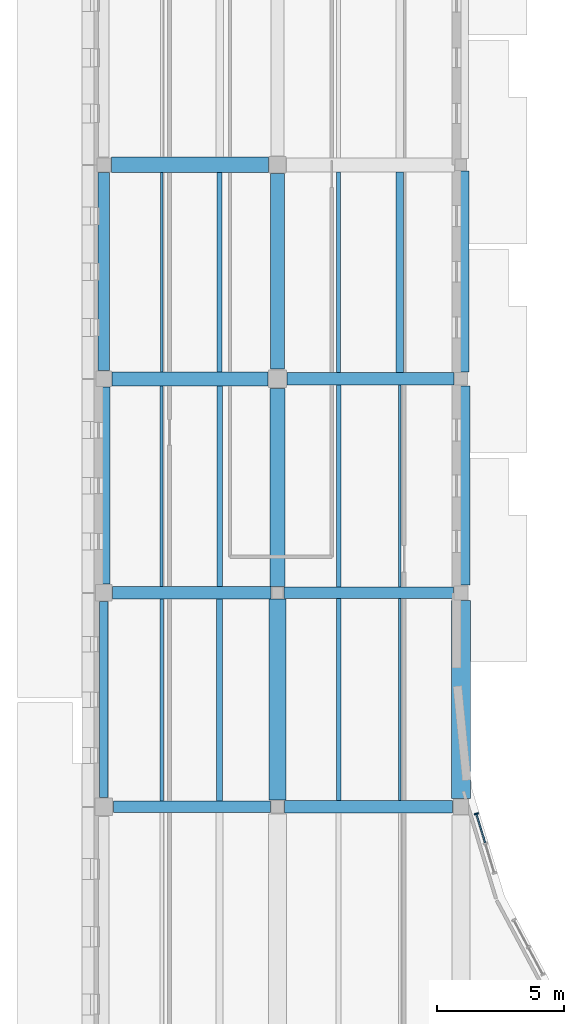
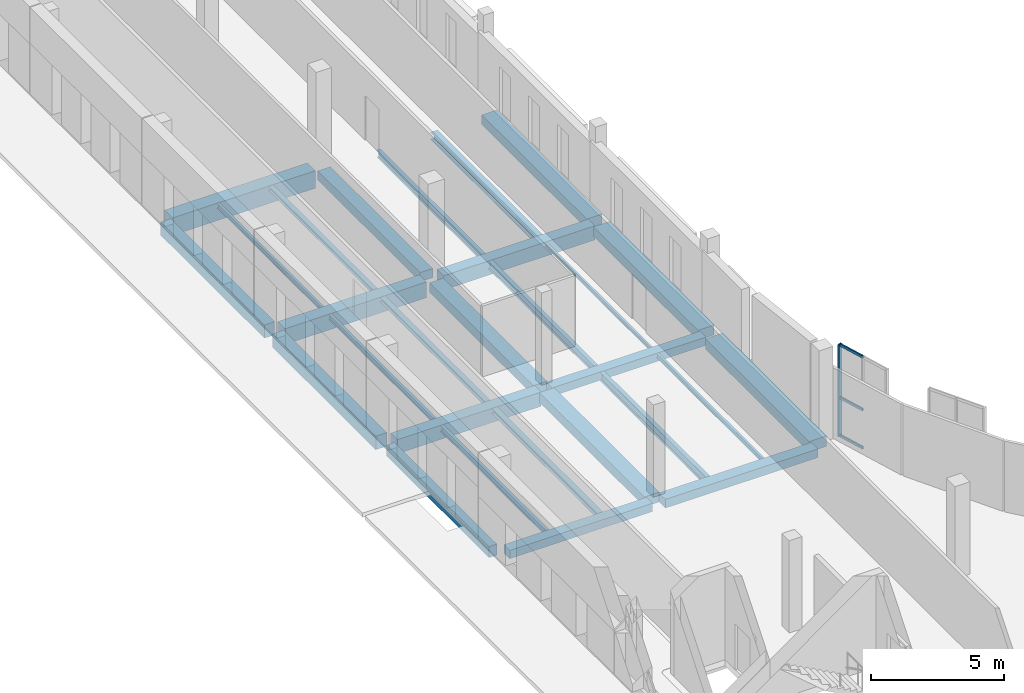
# One storey, part 12 of 77: 28 beams, 4 members, 1 element without a shape of its own.
"""IFC4 building model written with IfcOpenShell, lengths in metres."""

import ifcopenshell
import ifcopenshell.guid

model = None  # the IFC model being written
_history = None  # IfcOwnerHistory: only IFC2X3 demands one
_inside = {}  # id of a spatial element -> (the spatial element, [elements in it])
_under = {}  # id of a project, library or spatial element -> (it, [spatial elements below it])
_declared = {}  # id of a project -> (the project, [libraries it declares])
_typed = {}  # id of a type object -> (the type object, [elements of that type])
_made_of = {}  # id of a material, layer set ... -> (it, [elements and type objects made of it])


def new_model(schema):
    """Start an empty IFC model of exactly this schema.

    Asked for "IFC4X3", IfcOpenShell would pick the latest addendum, in which some entities
    have other attributes; the version numbers below select the first issue.
    IFC2X3 requires an IfcOwnerHistory on every rooted entity: one is made here for all.
    """
    global model, _history
    if schema == "IFC4X3":
        model = ifcopenshell.file(schema_version=(4, 3, 0, 0))
    else:
        model = ifcopenshell.file(schema=schema)
    _inside.clear()
    _under.clear()
    _declared.clear()
    _typed.clear()
    _made_of.clear()
    _history = None
    if model.schema == "IFC2X3":
        org = make("IfcOrganization", Name="unknown")
        user = make(
            "IfcPersonAndOrganization",
            ThePerson=make("IfcPerson", FamilyName="unknown"),
            TheOrganization=org,
        )
        app = make(
            "IfcApplication",
            ApplicationDeveloper=org,
            Version="unknown",
            ApplicationFullName="unknown",
            ApplicationIdentifier="unknown",
        )
        _history = make(
            "IfcOwnerHistory",
            OwningUser=user,
            OwningApplication=app,
            ChangeAction="ADDED",
            CreationDate=0,
        )
    return model


def make(cls, **values):
    """One entity of the class cls with the attributes given. An attribute that is None is left unset."""
    return model.create_entity(
        cls, **{name: value for name, value in values.items() if value is not None}
    )


def rooted(cls, **values):
    """An entity with a GlobalId (a new one), such as an element, a storey or a relation."""
    return make(cls, GlobalId=ifcopenshell.guid.new(), OwnerHistory=_history, **values)


def si_unit(unit_type, name, prefix=None):
    """IfcSIUnit, for example si_unit("LENGTHUNIT", "METRE", prefix="MILLI")."""
    return make("IfcSIUnit", UnitType=unit_type, Prefix=prefix, Name=name)


def assignment(units):
    """IfcUnitAssignment: the units of a project."""
    return None if units is None else make("IfcUnitAssignment", Units=units)


def point(xyz):
    """IfcCartesianPoint."""
    return None if xyz is None else make("IfcCartesianPoint", Coordinates=xyz)


def direction(xyz):
    """IfcDirection."""
    return None if xyz is None else make("IfcDirection", DirectionRatios=xyz)


def frame(location, z_axis=None, x_axis=None):
    """IfcAxis2Placement3D, a coordinate frame: its origin and axes. An axis left out is left unset."""
    return make(
        "IfcAxis2Placement3D",
        Location=point(location),
        Axis=direction(z_axis),
        RefDirection=direction(x_axis),
    )


def frame_2d(location, x_axis=None):
    """IfcAxis2Placement2D, a coordinate frame in the plane: its origin and x axis."""
    return make(
        "IfcAxis2Placement2D", Location=point(location), RefDirection=direction(x_axis)
    )


def origin():
    """The frame at (0, 0, 0) with its axes left unset."""
    return frame((0.0, 0.0, 0.0))


def origin_2d():
    """The frame at (0, 0) in the plane with its x axis left unset."""
    return frame_2d((0.0, 0.0))


def place(relative_to, where):
    """IfcLocalPlacement: puts the frame where relative to a parent placement (None: the world)."""
    return make(
        "IfcLocalPlacement", PlacementRelTo=relative_to, RelativePlacement=where
    )


def context(
    kind, dimensions, precision=None, world=None, true_north=None, identifier=None
):
    """IfcGeometricRepresentationContext, for example the 3D "Model" context."""
    return make(
        "IfcGeometricRepresentationContext",
        ContextIdentifier=identifier,
        ContextType=kind,
        CoordinateSpaceDimension=dimensions,
        Precision=precision,
        WorldCoordinateSystem=world,
        TrueNorth=true_north,
    )


def subcontext(parent, identifier, kind, view, scale=None):
    """IfcGeometricRepresentationSubContext, for example "Body" below "Model"."""
    return make(
        "IfcGeometricRepresentationSubContext",
        ContextIdentifier=identifier,
        ContextType=kind,
        ParentContext=parent,
        TargetScale=scale,
        TargetView=view,
    )


def project(units=None, contexts=None):
    """IfcProject with its units and contexts."""
    return rooted(
        "IfcProject",
        Name="project",
        RepresentationContexts=contexts,
        UnitsInContext=assignment(units),
    )


def spatial(cls, under=None, at=None, **own):
    """A site, building, storey or space (cls), placed at a placement, below another one or the project."""
    s = rooted(cls, ObjectPlacement=at, **own)
    if under is not None:
        _under.setdefault(under.id(), (under, []))[1].append(s)
    return s


def profile(cls, at=None, kind="AREA", **sizes):
    """A parametric profile (cls). Its sizes go by their IFC names, for example OverallWidth=200.0."""
    return make(cls, ProfileType=kind, Position=at, **sizes)


def rectangle(**sizes):
    """IfcRectangleProfileDef."""
    return profile("IfcRectangleProfileDef", **sizes)


def i_section(**sizes):
    """IfcIShapeProfileDef."""
    return profile("IfcIShapeProfileDef", **sizes)


def extrude(swept, where, along, depth):
    """IfcExtrudedAreaSolid: the profile swept, set in the frame where, extruded along a direction by depth."""
    return make(
        "IfcExtrudedAreaSolid",
        SweptArea=swept,
        Position=where,
        ExtrudedDirection=direction(along),
        Depth=depth,
    )


def shape(context_of_items, identifier, shape_type, items):
    """IfcShapeRepresentation: the items that make up one representation, for example the "Body"."""
    return make(
        "IfcShapeRepresentation",
        ContextOfItems=context_of_items,
        RepresentationIdentifier=identifier,
        RepresentationType=shape_type,
        Items=items,
    )


def material(Name=None, Category=None):
    """IfcMaterial."""
    return make("IfcMaterial", Name=Name, Category=Category)


def layer(
    of_material, thickness, ventilated=None, Name=None, Category=None, Priority=None
):
    """IfcMaterialLayer: one layer of a wall or slab, of a material (None: an air gap)."""
    return make(
        "IfcMaterialLayer",
        Material=of_material,
        LayerThickness=thickness,
        IsVentilated=ventilated,
        Name=Name,
        Category=Category,
        Priority=Priority,
    )


def layer_set(layers, Name=None):
    """IfcMaterialLayerSet."""
    return make("IfcMaterialLayerSet", MaterialLayers=layers, LayerSetName=Name)


def material_profile(
    of_material, cross_section, Name=None, Category=None, Priority=None
):
    """IfcMaterialProfile: a cross section and its material."""
    return make(
        "IfcMaterialProfile",
        Name=Name,
        Material=of_material,
        Profile=cross_section,
        Priority=Priority,
        Category=Category,
    )


def profile_set(profiles, Name=None, composite=None):
    """IfcMaterialProfileSet."""
    return make(
        "IfcMaterialProfileSet",
        Name=Name,
        MaterialProfiles=profiles,
        CompositeProfile=composite,
    )


def made_of(thing, what):
    """Note that an element or type object is made of a material, layer set ...; save() writes the relation."""
    if what is not None:
        _made_of.setdefault(what.id(), (what, []))[1].append(thing)
    return thing


def type_object(cls, material=None, **own):
    """A type object (cls), such as IfcWallType, which elements share."""
    return made_of(rooted(cls, **own), material)


def element(
    cls,
    number,
    at=None,
    inside=None,
    cuts=None,
    type_object=None,
    material=None,
    context=None,
    identifier="Body",
    shape_type=None,
    held_by="IfcProductDefinitionShape",
    body=None,
    shapes=None,
    **own,
):
    """One element of the class cls, such as IfcWall. Its Tag is "e" and its number.

    at: its placement. inside: the storey or other place that contains it. cuts: it is an
    opening in that element (IfcRelVoidsElement). A single representation is given by context,
    identifier, shape_type and body (its items); several are given by shapes. held_by: the class
    of the entity that holds the representations. save() writes the other relations.
    """
    e = rooted(cls, Tag="e%d" % number, ObjectPlacement=at, **own)
    if body is not None:
        shapes = [shape(context, identifier, shape_type, body)]
    if shapes is not None:
        e.Representation = make(held_by, Representations=shapes)
    if inside is not None:
        _inside.setdefault(inside.id(), (inside, []))[1].append(e)
    if cuts is not None:
        rooted(
            "IfcRelVoidsElement", RelatingBuildingElement=cuts, RelatedOpeningElement=e
        )
    if type_object is not None:
        _typed.setdefault(type_object.id(), (type_object, []))[1].append(e)
    return made_of(e, material)


def aggregate(whole, parts):
    """IfcRelAggregates: a whole, such as a stair, and the parts it consists of."""
    return rooted("IfcRelAggregates", RelatingObject=whole, RelatedObjects=parts)


def save(model, path):
    """Write the relations noted so far, then the file.

    IfcRelAggregates (storeys below a building ...), IfcRelContainedInSpatialStructure (elements
    in a storey), IfcRelDefinesByType, IfcRelAssociatesMaterial and IfcRelDeclares: one each for
    every whole, place, type object, material and project.
    """
    for whole, parts in _under.values():
        aggregate(whole, parts)
    for where, things in _inside.values():
        rooted(
            "IfcRelContainedInSpatialStructure",
            RelatedElements=things,
            RelatingStructure=where,
        )
    for kind, things in _typed.values():
        rooted("IfcRelDefinesByType", RelatedObjects=things, RelatingType=kind)
    for what, things in _made_of.values():
        rooted("IfcRelAssociatesMaterial", RelatedObjects=things, RelatingMaterial=what)
    for by, libraries in _declared.values():
        rooted("IfcRelDeclares", RelatingContext=by, RelatedDefinitions=libraries)
    model.write(path)


model = new_model("IFC4")

# Units and contexts
model_context = context("Model", 3, precision=1e-05, world=origin(), true_north=direction((0.0, 1.0)))
body_context = subcontext(model_context, "Body", "Model", "MODEL_VIEW")
ifc_project = project(units=[si_unit("LENGTHUNIT", "METRE"), si_unit("AREAUNIT", "SQUARE_METRE"), si_unit("VOLUMEUNIT", "CUBIC_METRE"), si_unit("PLANEANGLEUNIT", "RADIAN"), si_unit("MASSUNIT", "GRAM", prefix="KILO")], contexts=[model_context])

# Site, building, storey
site_placement = place(None, origin())
site = spatial("IfcSite", under=ifc_project, at=site_placement, CompositionType="ELEMENT")
building_placement = place(site_placement, origin())
building = spatial("IfcBuilding", under=site, at=building_placement, Name="Vardoun Plaza Health Centre", CompositionType="ELEMENT")
storey_placement = place(building_placement, origin())
storey = spatial("IfcBuildingStorey", under=building, at=storey_placement, Name="L00", CompositionType="ELEMENT", Elevation=0.0)

# Beams
ifc_material_1 = material(Name="Concrete C35/45", Category="concrete")
ifc_material_profile_1 = material_profile(ifc_material_1, rectangle(XDim=0.35009765625, YDim=0.5, at=origin_2d()), Name="RC-BM 350x500")
ifc_profile_set_1 = profile_set([ifc_material_profile_1], Name="Concrete C35/45")
beam_type_1 = type_object("IfcBeamType", Name="B-08", PredefinedType="SPANDREL", material=ifc_profile_set_1)
beam_1_placement = place(storey_placement, frame((4.8798828125, 36.675048828125, -0.530029296875), z_axis=(0.0, 1.0, 0.0), x_axis=(-1.0, 0.0, 0.0)))
element("IfcBeam", 1, at=beam_1_placement, inside=storey, type_object=beam_type_1, Name="V2 L00 Beam B-V2-L00-Y38", PredefinedType="SPANDREL", context=body_context, shape_type="SweptSolid", body=[
    extrude(rectangle(XDim=0.35009765625, YDim=0.5, at=origin_2d()), origin(), (0.0, 0.0, 1.0), 7.675048828125),
])
ifc_material_2 = material(Name="Concrete C35/45", Category="concrete")
ifc_material_profile_2 = material_profile(ifc_material_2, rectangle(XDim=0.449951171875, YDim=0.3798828125, at=origin_2d()), Name="RC-BM 450x380")
ifc_profile_set_2 = profile_set([ifc_material_profile_2], Name="Concrete C35/45")
beam_type_2 = type_object("IfcBeamType", Name="B-01", PredefinedType="BEAM", material=ifc_profile_set_2)
beam_2_placement = place(storey_placement, frame((5.2548828125, 36.300048828125, -0.469970703125), z_axis=(1.0, 0.0, 0.0), x_axis=(0.0, 1.0, 0.0)))
element("IfcBeam", 2, at=beam_2_placement, inside=storey, type_object=beam_type_2, Name="V2 L00 Beam B-V2-L00-X05", PredefinedType="BEAM", context=body_context, shape_type="SweptSolid", body=[
    extrude(rectangle(XDim=0.449951171875, YDim=0.3798828125, at=origin_2d()), origin(), (0.0, 0.0, 1.0), 6.170166015625),
])
beam_3_placement = place(storey_placement, frame((11.949951171875, 44.699951171875, -0.469970703125), z_axis=(1.0, 0.0, 0.0), x_axis=(0.0, 1.0, 0.0)))
element("IfcBeam", 3, at=beam_3_placement, inside=storey, type_object=beam_type_2, Name="V2 L00 Beam B-V2-L00-X16", PredefinedType="BEAM", context=body_context, shape_type="SweptSolid", body=[
    extrude(rectangle(XDim=0.449951171875, YDim=0.3798828125, at=origin_2d()), origin(), (0.0, 0.0, 1.0), 6.650146484375),
])
ifc_material_3 = material(Name="Concrete C35/45", Category="concrete")
ifc_material_profile_3 = material_profile(ifc_material_3, rectangle(XDim=0.449951171875, YDim=0.60009765625, at=origin_2d()), Name="RC-BM 450x600")
ifc_profile_set_3 = profile_set([ifc_material_profile_3], Name="Concrete C35/45")
beam_type_3 = type_object("IfcBeamType", Name="B-11", PredefinedType="SPANDREL", material=ifc_profile_set_3)
beam_4_placement = place(storey_placement, frame((4.8798828125, 53.425048828125, -0.580078125), z_axis=(0.0, 1.0, 0.0), x_axis=(-1.0, 0.0, 0.0)))
element("IfcBeam", 4, at=beam_4_placement, inside=storey, type_object=beam_type_3, Name="V2 L00 Beam B-V2-L00-Y40", PredefinedType="SPANDREL", context=body_context, shape_type="SweptSolid", body=[
    extrude(rectangle(XDim=0.449951171875, YDim=0.60009765625, at=origin_2d()), origin(), (0.0, 0.0, 1.0), 7.77490234375),
])
ifc_material_4 = material(Name="Concrete C35/45", Category="concrete")
ifc_material_profile_4 = material_profile(ifc_material_4, rectangle(XDim=0.47998046875, YDim=0.6201171875, at=origin_2d()), Name="RC-BM 480x620")
ifc_profile_set_4 = profile_set([ifc_material_profile_4], Name="Concrete C35/45")
beam_type_4 = type_object("IfcBeamType", Name="B-12", PredefinedType="SPANDREL", material=ifc_profile_set_4)
beam_5_placement = place(storey_placement, frame((4.8798828125, 45.050048828125, -0.590087890625), z_axis=(0.0, 1.0, 0.0), x_axis=(-1.0, 0.0, 0.0)))
element("IfcBeam", 5, at=beam_5_placement, inside=storey, type_object=beam_type_4, Name="V2 L00 Beam B-V2-L00-Y39", PredefinedType="SPANDREL", context=body_context, shape_type="SweptSolid", body=[
    extrude(rectangle(XDim=0.47998046875, YDim=0.6201171875, at=origin_2d()), origin(), (0.0, 0.0, 1.0), 7.72509765625),
])
ifc_material_5 = material(Name="Concrete C35/45", Category="concrete")
ifc_material_profile_5 = material_profile(ifc_material_5, rectangle(XDim=0.5, YDim=0.39990234375, at=origin_2d()), Name="RC-BM 500x400")
ifc_profile_set_5 = profile_set([ifc_material_profile_5], Name="Concrete C35/45")
beam_type_5 = type_object("IfcBeamType", Name="B-02", PredefinedType="BEAM", material=ifc_profile_set_5)
beam_6_placement = place(storey_placement, frame((11.97509765625, 36.300048828125, -0.47998046875), z_axis=(1.0, 0.0, 0.0), x_axis=(0.0, 1.0, 0.0)))
element("IfcBeam", 6, at=beam_6_placement, inside=storey, type_object=beam_type_5, Name="V2 L00 Beam B-V2-L00-X15", PredefinedType="BEAM", context=body_context, shape_type="SweptSolid", body=[
    extrude(rectangle(XDim=0.5, YDim=0.39990234375, at=origin_2d()), origin(), (0.0, 0.0, 1.0), 6.599853515625),
])
ifc_material_6 = material(Name="Concrete C40/50", Category="concrete")
ifc_material_profile_6 = material_profile(ifc_material_6, rectangle(XDim=0.5, YDim=0.64990234375, at=origin_2d()), Name="RC-BM 500x650")
ifc_profile_set_6 = profile_set([ifc_material_profile_6], Name="Concrete C40/50")
beam_type_6 = type_object("IfcBeamType", Name="B-13", PredefinedType="BEAM", material=ifc_profile_set_6)
beam_7_placement = place(storey_placement, frame((5.22998046875, 44.699951171875, -0.60498046875), z_axis=(1.0, 0.0, 0.0), x_axis=(0.0, 1.0, 0.0)))
element("IfcBeam", 7, at=beam_7_placement, inside=storey, type_object=beam_type_6, Name="V2 L00 Beam B-V2-L00-X06", PredefinedType="BEAM", context=body_context, shape_type="SweptSolid", body=[
    extrude(rectangle(XDim=0.5, YDim=0.64990234375, at=origin_2d()), origin(), (0.0, 0.0, 1.0), 6.219970703125),
])
beam_8_placement = place(storey_placement, frame((12.074951171875, 53.10009765625, -0.60498046875), z_axis=(1.0, 0.0, 0.0), x_axis=(0.0, 1.0, 0.0)))
element("IfcBeam", 8, at=beam_8_placement, inside=storey, type_object=beam_type_6, Name="V2 L00 Beam B-V2-L00-X17", PredefinedType="BEAM", context=body_context, shape_type="SweptSolid", body=[
    extrude(rectangle(XDim=0.5, YDim=0.64990234375, at=origin_2d()), origin(), (0.0, 0.0, 1.0), 6.550048828125),
])
ifc_material_7 = material(Name="Concrete C35/45", Category="concrete")
ifc_material_profile_7 = material_profile(ifc_material_7, rectangle(XDim=0.550048828125, YDim=0.419921875, at=origin_2d()), Name="RC-BM 550x420")
ifc_profile_set_7 = profile_set([ifc_material_profile_7], Name="Concrete C35/45")
beam_type_7 = type_object("IfcBeamType", Name="B-03", PredefinedType="BEAM", material=ifc_profile_set_7)
beam_9_placement = place(storey_placement, frame((11.699951171875, 53.47509765625, -0.489990234375), z_axis=(0.0, 1.0, 0.0), x_axis=(-1.0, 0.0, 0.0)))
element("IfcBeam", 9, at=beam_9_placement, inside=storey, type_object=beam_type_7, Name="V2 L00 Beam B-V2-L00-Y47", PredefinedType="BEAM", context=body_context, shape_type="SweptSolid", body=[
    extrude(rectangle(XDim=0.550048828125, YDim=0.419921875, at=origin_2d()), origin(), (0.0, 0.0, 1.0), 7.675048828125),
])
ifc_material_8 = material(Name="Concrete C40/50", Category="concrete")
ifc_material_profile_8 = material_profile(ifc_material_8, rectangle(XDim=0.550048828125, YDim=0.719970703125, at=origin_2d()), Name="RC-BM 550x720")
ifc_profile_set_8 = profile_set([ifc_material_profile_8], Name="Concrete C40/50")
beam_type_8 = type_object("IfcBeamType", Name="B-14", PredefinedType="BEAM", material=ifc_profile_set_8)
beam_10_placement = place(storey_placement, frame((5.205078125, 53.10009765625, -0.639892578125), z_axis=(1.0, 0.0, 0.0), x_axis=(0.0, 1.0, 0.0)))
element("IfcBeam", 10, at=beam_10_placement, inside=storey, type_object=beam_type_8, Name="V2 L00 Beam B-V2-L00-X07", PredefinedType="BEAM", context=body_context, shape_type="SweptSolid", body=[
    extrude(rectangle(XDim=0.550048828125, YDim=0.719970703125, at=origin_2d()), origin(), (0.0, 0.0, 1.0), 6.119873046875),
])
ifc_material_9 = material(Name="Concrete C35/45", Category="concrete")
ifc_material_profile_9 = material_profile(ifc_material_9, rectangle(XDim=0.60009765625, YDim=0.449951171875, at=origin_2d()), Name="RC-BM 600x450")
ifc_profile_set_9 = profile_set([ifc_material_profile_9], Name="Concrete C35/45")
beam_type_9 = type_object("IfcBeamType", Name="B-04", PredefinedType="BEAM", material=ifc_profile_set_9)
beam_11_placement = place(storey_placement, frame((11.699951171875, 44.949951171875, -0.5048828125), z_axis=(0.0, 1.0, 0.0), x_axis=(-1.0, 0.0, 0.0)))
element("IfcBeam", 11, at=beam_11_placement, inside=storey, type_object=beam_type_9, Name="V2 L00 Beam B-V2-L00-Y46", PredefinedType="BEAM", context=body_context, shape_type="SweptSolid", body=[
    extrude(rectangle(XDim=0.60009765625, YDim=0.449951171875, at=origin_2d()), origin(), (0.0, 0.0, 1.0), 7.775146484375),
])
ifc_material_10 = material(Name="Concrete C40/50", Category="concrete")
ifc_material_profile_10 = material_profile(ifc_material_10, rectangle(XDim=0.60009765625, YDim=0.800048828125, at=origin_2d()), Name="RC-BM 600x800")
ifc_profile_set_10 = profile_set([ifc_material_profile_10], Name="Concrete C40/50")
beam_type_10 = type_object("IfcBeamType", Name="B-15", PredefinedType="JOIST", material=ifc_profile_set_10)
beam_12_placement = place(storey_placement, frame((5.179931640625, 61.5, -0.679931640625), z_axis=(1.0, 0.0, 0.0), x_axis=(0.0, 1.0, 0.0)))
element("IfcBeam", 12, at=beam_12_placement, inside=storey, type_object=beam_type_10, Name="V2 L00 Beam B-V2-L00-X08", PredefinedType="JOIST", context=body_context, shape_type="SweptSolid", body=[
    extrude(rectangle(XDim=0.60009765625, YDim=0.800048828125, at=origin_2d()), origin(), (0.0, 0.0, 1.0), 6.170166015625),
])
ifc_material_11 = material(Name="Concrete C35/45", Category="concrete")
ifc_material_profile_11 = material_profile(ifc_material_11, rectangle(XDim=0.64990234375, YDim=0.449951171875, at=origin_2d()), Name="RC-BM 650x450")
ifc_profile_set_11 = profile_set([ifc_material_profile_11], Name="Concrete C35/45")
beam_type_11 = type_object("IfcBeamType", Name="B-05", PredefinedType="BEAM", material=ifc_profile_set_11)
for number, where, z_axis, x_axis, name in (
    (13, (11.699951171875, 36.574951171875, -0.5048828125), (0.0, 1.0, 0.0), (-1.0, 0.0, 0.0), "V2 L00 Beam B-V2-L00-Y45"),
    (14, (18.89990234375, 53.375, -0.5048828125), (0.0, 1.0, 0.0), (-1.0, 0.0, 0.0), "V2 L00 Beam B-V2-L00-Y56"),
):
    element("IfcBeam", number, at=place(storey_placement, frame(where, z_axis=z_axis, x_axis=x_axis)), inside=storey, type_object=beam_type_11, Name=name, PredefinedType="BEAM", context=body_context, shape_type="SweptSolid", body=[
        extrude(rectangle(XDim=0.64990234375, YDim=0.449951171875, at=origin_2d()), origin(), (0.0, 0.0, 1.0), 7.875),
    ])
ifc_material_12 = material(Name="Concrete C35/45", Category="concrete")
ifc_material_profile_12 = material_profile(ifc_material_12, rectangle(XDim=0.699951171875, YDim=0.449951171875, at=origin_2d()), Name="RC-BM 700x450")
ifc_profile_set_12 = profile_set([ifc_material_profile_12], Name="Concrete C35/45")
beam_type_12 = type_object("IfcBeamType", Name="B-06", PredefinedType="BEAM", material=ifc_profile_set_12)
beam_13_placement = place(storey_placement, frame((18.89990234375, 45.0, -0.5048828125), z_axis=(0.0, 1.0, 0.0), x_axis=(-1.0, 0.0, 0.0)))
element("IfcBeam", 15, at=beam_13_placement, inside=storey, type_object=beam_type_12, Name="V2 L00 Beam B-V2-L00-Y55", PredefinedType="BEAM", context=body_context, shape_type="SweptSolid", body=[
    extrude(rectangle(XDim=0.699951171875, YDim=0.449951171875, at=origin_2d()), origin(), (0.0, 0.0, 1.0), 7.824951171875),
])
ifc_material_13 = material(Name="Concrete C35/45", Category="concrete")
ifc_material_profile_13 = material_profile(ifc_material_13, rectangle(XDim=0.75, YDim=0.47998046875, at=origin_2d()), Name="RC-BM 750x480")
ifc_profile_set_13 = profile_set([ifc_material_profile_13], Name="Concrete C35/45")
beam_type_13 = type_object("IfcBeamType", Name="B-07", PredefinedType="BEAM", material=ifc_profile_set_13)
beam_14_placement = place(storey_placement, frame((18.89990234375, 36.625, -0.52001953125), z_axis=(0.0, 1.0, 0.0), x_axis=(-1.0, 0.0, 0.0)))
element("IfcBeam", 16, at=beam_14_placement, inside=storey, type_object=beam_type_13, Name="V2 L00 Beam B-V2-L00-Y54", PredefinedType="BEAM", context=body_context, shape_type="SweptSolid", body=[
    extrude(rectangle(XDim=0.75, YDim=0.47998046875, at=origin_2d()), origin(), (0.0, 0.0, 1.0), 7.775146484375),
])
ifc_material_14 = material(Name="Steel S355J2", Category="steel")
ifc_material_profile_14 = material_profile(ifc_material_14, i_section(OverallWidth=0.199951171875, OverallDepth=0.18994140625, WebThickness=0.006591796875, FlangeThickness=0.010009765625, FilletRadius=0.01806640625, at=origin_2d()), Name="HEA 200")
ifc_profile_set_14 = profile_set([ifc_material_profile_14], Name="Steel S355J2")
beam_type_14 = type_object("IfcBeamType", Name="SB-09", PredefinedType="BEAM", material=ifc_profile_set_14)
beam_15_placement = place(storey_placement, frame((9.427001953125, 53.375, -0.375), z_axis=(0.0, 1.0, 0.0), x_axis=(-1.0, 0.0, 0.0)))
element("IfcBeam", 17, at=beam_15_placement, inside=storey, type_object=beam_type_14, Name="V2 L00 Secondary Floor Beam SJ-V2-L00-12", PredefinedType="BEAM", context=body_context, shape_type="SweptSolid", body=[
    extrude(i_section(OverallWidth=0.199951171875, OverallDepth=0.18994140625, WebThickness=0.006591796875, FlangeThickness=0.010009765625, FilletRadius=0.01806640625, at=origin_2d()), origin(), (0.0, 0.0, 1.0), 7.824951171875),
])
ifc_material_15 = material(Name="Steel S355J2", Category="steel")
ifc_material_profile_15 = material_profile(ifc_material_15, i_section(OverallWidth=0.219970703125, OverallDepth=0.2099609375, WebThickness=0.007080078125, FlangeThickness=0.010986328125, FilletRadius=0.01806640625, at=origin_2d()), Name="HEA 220")
ifc_profile_set_15 = profile_set([ifc_material_profile_15], Name="Steel S355J2")
beam_type_15 = type_object("IfcBeamType", Name="SB-08", PredefinedType="BEAM", material=ifc_profile_set_15)
beam_16_placement = place(storey_placement, frame((9.427001953125, 44.949951171875, -0.385009765625), z_axis=(0.0, 1.0, 0.0), x_axis=(-1.0, 0.0, 0.0)))
element("IfcBeam", 18, at=beam_16_placement, inside=storey, type_object=beam_type_15, Name="V2 L00 Secondary Floor Beam SJ-V2-L00-11", PredefinedType="BEAM", context=body_context, shape_type="SweptSolid", body=[
    extrude(i_section(OverallWidth=0.219970703125, OverallDepth=0.2099609375, WebThickness=0.007080078125, FlangeThickness=0.010986328125, FilletRadius=0.01806640625, at=origin_2d()), origin(), (0.0, 0.0, 1.0), 7.875),
])
ifc_material_16 = material(Name="Steel S355J2", Category="steel")
ifc_material_profile_16 = material_profile(ifc_material_16, i_section(OverallWidth=0.239990234375, OverallDepth=0.22998046875, WebThickness=0.007568359375, FlangeThickness=0.011962890625, FilletRadius=0.02099609375, at=origin_2d()), Name="HEA 240")
ifc_profile_set_16 = profile_set([ifc_material_profile_16], Name="Steel S355J2")
beam_type_16 = type_object("IfcBeamType", Name="SB-07", PredefinedType="BEAM", material=ifc_profile_set_16)
beam_17_placement = place(storey_placement, frame((9.427001953125, 36.525146484375, -0.39501953125), z_axis=(0.0, 1.0, 0.0), x_axis=(-1.0, 0.0, 0.0)))
element("IfcBeam", 19, at=beam_17_placement, inside=storey, type_object=beam_type_16, Name="V2 L00 Secondary Floor Beam SJ-V2-L00-10", PredefinedType="BEAM", context=body_context, shape_type="SweptSolid", body=[
    extrude(i_section(OverallWidth=0.239990234375, OverallDepth=0.22998046875, WebThickness=0.007568359375, FlangeThickness=0.011962890625, FilletRadius=0.02099609375, at=origin_2d()), origin(), (0.0, 0.0, 1.0), 7.9248046875),
])
ifc_material_17 = material(Name="Steel S355J2", Category="steel")
ifc_material_profile_17 = material_profile(ifc_material_17, i_section(OverallWidth=0.300048828125, OverallDepth=0.330078125, WebThickness=0.009521484375, FlangeThickness=0.0166015625, FilletRadius=0.027099609375, at=origin_2d()), Name="HEA 340")
ifc_profile_set_17 = profile_set([ifc_material_profile_17], Name="Steel S355J2")
beam_type_17 = type_object("IfcBeamType", Name="SB-04", PredefinedType="BEAM", material=ifc_profile_set_17)
beam_18_placement = place(storey_placement, frame((16.500244140625, 53.35009765625, -0.445068359375), z_axis=(0.0, 1.0, 0.0), x_axis=(-1.0, 0.0, 0.0)))
element("IfcBeam", 20, at=beam_18_placement, inside=storey, type_object=beam_type_17, Name="V2 L00 Secondary Floor Beam SJ-V2-L00-26", PredefinedType="BEAM", context=body_context, shape_type="SweptSolid", body=[
    extrude(i_section(OverallWidth=0.300048828125, OverallDepth=0.330078125, WebThickness=0.009521484375, FlangeThickness=0.0166015625, FilletRadius=0.027099609375, at=origin_2d()), origin(), (0.0, 0.0, 1.0), 7.875),
])
ifc_material_18 = material(Name="Steel S355J2", Category="steel")
ifc_material_profile_18 = material_profile(ifc_material_18, i_section(OverallWidth=0.091064453125, OverallDepth=0.179931640625, WebThickness=0.00537109375, FlangeThickness=0.008056640625, FilletRadius=0.009033203125, at=origin_2d()), Name="IPE 180")
ifc_profile_set_18 = profile_set([ifc_material_profile_18], Name="Steel S355J2")
beam_type_18 = type_object("IfcBeamType", Name="SB-20", PredefinedType="SPANDREL", material=ifc_profile_set_18)
beam_19_placement = place(storey_placement, frame((16.500244140625, 44.925048828125, -0.3701171875), z_axis=(0.0, 1.0, 0.0), x_axis=(-1.0, 0.0, 0.0)))
element("IfcBeam", 21, at=beam_19_placement, inside=storey, type_object=beam_type_18, Name="V2 L00 Secondary Floor Beam SJ-V2-L00-25", PredefinedType="SPANDREL", context=body_context, shape_type="SweptSolid", body=[
    extrude(i_section(OverallWidth=0.091064453125, OverallDepth=0.179931640625, WebThickness=0.00537109375, FlangeThickness=0.008056640625, FilletRadius=0.009033203125, at=origin_2d()), origin(), (0.0, 0.0, 1.0), 7.925048828125),
])
ifc_material_19 = material(Name="Steel S355J2", Category="steel")
ifc_material_profile_19 = material_profile(ifc_material_19, i_section(OverallWidth=0.10009765625, OverallDepth=0.199951171875, WebThickness=0.005615234375, FlangeThickness=0.008544921875, FilletRadius=0.011962890625, at=origin_2d()), Name="IPE 200")
ifc_profile_set_19 = profile_set([ifc_material_profile_19], Name="Steel S355J2")
beam_type_19 = type_object("IfcBeamType", Name="SB-19", PredefinedType="SPANDREL", material=ifc_profile_set_19)
beam_20_placement = place(storey_placement, frame((16.500244140625, 36.550048828125, -0.3798828125), z_axis=(0.0, 1.0, 0.0), x_axis=(-1.0, 0.0, 0.0)))
element("IfcBeam", 22, at=beam_20_placement, inside=storey, type_object=beam_type_19, Name="V2 L00 Secondary Floor Beam SJ-V2-L00-24", PredefinedType="SPANDREL", context=body_context, shape_type="SweptSolid", body=[
    extrude(i_section(OverallWidth=0.10009765625, OverallDepth=0.199951171875, WebThickness=0.005615234375, FlangeThickness=0.008544921875, FilletRadius=0.011962890625, at=origin_2d()), origin(), (0.0, 0.0, 1.0), 7.925048828125),
])
ifc_material_20 = material(Name="Steel S355J2", Category="steel")
ifc_material_profile_20 = material_profile(ifc_material_20, i_section(OverallWidth=0.110107421875, OverallDepth=0.219970703125, WebThickness=0.005859375, FlangeThickness=0.00927734375, FilletRadius=0.011962890625, at=origin_2d()), Name="IPE 220")
ifc_profile_set_20 = profile_set([ifc_material_profile_20], Name="Steel S355J2")
beam_type_20 = type_object("IfcBeamType", Name="SB-18", PredefinedType="JOIST", material=ifc_profile_set_20)
beam_21_placement = place(storey_placement, frame((7.153076171875, 53.375, -0.389892578125), z_axis=(0.0, 1.0, 0.0), x_axis=(-1.0, 0.0, 0.0)))
element("IfcBeam", 23, at=beam_21_placement, inside=storey, type_object=beam_type_20, Name="V2 L00 Secondary Floor Beam SJ-V2-L00-05", PredefinedType="JOIST", context=body_context, shape_type="SweptSolid", body=[
    extrude(i_section(OverallWidth=0.110107421875, OverallDepth=0.219970703125, WebThickness=0.005859375, FlangeThickness=0.00927734375, FilletRadius=0.011962890625, at=origin_2d()), origin(), (0.0, 0.0, 1.0), 7.824951171875),
])
ifc_material_21 = material(Name="Steel S355J2", Category="steel")
ifc_material_profile_21 = material_profile(ifc_material_21, i_section(OverallWidth=0.1201171875, OverallDepth=0.239990234375, WebThickness=0.006103515625, FlangeThickness=0.009765625, FilletRadius=0.014892578125, at=origin_2d()), Name="IPE 240")
ifc_profile_set_21 = profile_set([ifc_material_profile_21], Name="Steel S355J2")
beam_type_21 = type_object("IfcBeamType", Name="SB-17", PredefinedType="JOIST", material=ifc_profile_set_21)
beam_22_placement = place(storey_placement, frame((7.153076171875, 44.949951171875, -0.39990234375), z_axis=(0.0, 1.0, 0.0), x_axis=(-1.0, 0.0, 0.0)))
element("IfcBeam", 24, at=beam_22_placement, inside=storey, type_object=beam_type_21, Name="V2 L00 Secondary Floor Beam SJ-V2-L00-04", PredefinedType="JOIST", context=body_context, shape_type="SweptSolid", body=[
    extrude(i_section(OverallWidth=0.1201171875, OverallDepth=0.239990234375, WebThickness=0.006103515625, FlangeThickness=0.009765625, FilletRadius=0.014892578125, at=origin_2d()), origin(), (0.0, 0.0, 1.0), 7.875),
])
ifc_material_22 = material(Name="Steel S355J2", Category="steel")
ifc_material_profile_22 = material_profile(ifc_material_22, i_section(OverallWidth=0.135009765625, OverallDepth=0.27001953125, WebThickness=0.006591796875, FlangeThickness=0.01025390625, FilletRadius=0.014892578125, at=origin_2d()), Name="IPE 270")
ifc_profile_set_22 = profile_set([ifc_material_profile_22], Name="Steel S355J2")
beam_type_22 = type_object("IfcBeamType", Name="SB-16", PredefinedType="JOIST", material=ifc_profile_set_22)
beam_23_placement = place(storey_placement, frame((7.153076171875, 36.525146484375, -0.4150390625), z_axis=(0.0, 1.0, 0.0), x_axis=(-1.0, 0.0, 0.0)))
element("IfcBeam", 25, at=beam_23_placement, inside=storey, type_object=beam_type_22, Name="V2 L00 Secondary Floor Beam SJ-V2-L00-03", PredefinedType="JOIST", context=body_context, shape_type="SweptSolid", body=[
    extrude(i_section(OverallWidth=0.135009765625, OverallDepth=0.27001953125, WebThickness=0.006591796875, FlangeThickness=0.01025390625, FilletRadius=0.014892578125, at=origin_2d()), origin(), (0.0, 0.0, 1.0), 7.9248046875),
])
ifc_material_23 = material(Name="Steel S355J2", Category="steel")
ifc_material_profile_23 = material_profile(ifc_material_23, i_section(OverallWidth=0.159912109375, OverallDepth=0.330078125, WebThickness=0.007568359375, FlangeThickness=0.011474609375, FilletRadius=0.01806640625, at=origin_2d()), Name="IPE 330")
ifc_profile_set_23 = profile_set([ifc_material_profile_23], Name="Steel S355J2")
beam_type_23 = type_object("IfcBeamType", Name="SB-14", PredefinedType="JOIST", material=ifc_profile_set_23)
beam_24_placement = place(storey_placement, frame((14.099853515625, 53.35009765625, -0.445068359375), z_axis=(0.0, 1.0, 0.0), x_axis=(-1.0, 0.0, 0.0)))
element("IfcBeam", 26, at=beam_24_placement, inside=storey, type_object=beam_type_23, Name="V2 L00 Secondary Floor Beam SJ-V2-L00-19", PredefinedType="JOIST", context=body_context, shape_type="SweptSolid", body=[
    extrude(i_section(OverallWidth=0.159912109375, OverallDepth=0.330078125, WebThickness=0.007568359375, FlangeThickness=0.011474609375, FilletRadius=0.01806640625, at=origin_2d()), origin(), (0.0, 0.0, 1.0), 7.875),
])
ifc_material_24 = material(Name="Steel S355J2", Category="steel")
ifc_material_profile_24 = material_profile(ifc_material_24, i_section(OverallWidth=0.169921875, OverallDepth=0.360107421875, WebThickness=0.008056640625, FlangeThickness=0.0126953125, FilletRadius=0.01806640625, at=origin_2d()), Name="IPE 360")
ifc_profile_set_24 = profile_set([ifc_material_profile_24], Name="Steel S355J2")
beam_type_24 = type_object("IfcBeamType", Name="SB-13", PredefinedType="JOIST", material=ifc_profile_set_24)
beam_25_placement = place(storey_placement, frame((14.099853515625, 44.925048828125, -0.4599609375), z_axis=(0.0, 1.0, 0.0), x_axis=(-1.0, 0.0, 0.0)))
element("IfcBeam", 27, at=beam_25_placement, inside=storey, type_object=beam_type_24, Name="V2 L00 Secondary Floor Beam SJ-V2-L00-18", PredefinedType="JOIST", context=body_context, shape_type="SweptSolid", body=[
    extrude(i_section(OverallWidth=0.169921875, OverallDepth=0.360107421875, WebThickness=0.008056640625, FlangeThickness=0.0126953125, FilletRadius=0.01806640625, at=origin_2d()), origin(), (0.0, 0.0, 1.0), 7.925048828125),
])
ifc_material_25 = material(Name="Steel S355J2", Category="steel")
ifc_material_profile_25 = material_profile(ifc_material_25, i_section(OverallWidth=0.179931640625, OverallDepth=0.39990234375, WebThickness=0.008544921875, FlangeThickness=0.013427734375, FilletRadius=0.02099609375, at=origin_2d()), Name="IPE 400")
ifc_profile_set_25 = profile_set([ifc_material_profile_25], Name="Steel S355J2")
beam_type_25 = type_object("IfcBeamType", Name="SB-12", PredefinedType="BEAM", material=ifc_profile_set_25)
beam_26_placement = place(storey_placement, frame((14.099853515625, 36.550048828125, -0.47998046875), z_axis=(0.0, 1.0, 0.0), x_axis=(-1.0, 0.0, 0.0)))
element("IfcBeam", 28, at=beam_26_placement, inside=storey, type_object=beam_type_25, Name="V2 L00 Secondary Floor Beam SJ-V2-L00-17", PredefinedType="BEAM", context=body_context, shape_type="SweptSolid", body=[
    extrude(i_section(OverallWidth=0.179931640625, OverallDepth=0.39990234375, WebThickness=0.008544921875, FlangeThickness=0.013427734375, FilletRadius=0.02099609375, at=origin_2d()), origin(), (0.0, 0.0, 1.0), 7.925048828125),
])

# Curtain wall, members
ifc_material_26 = material(Name="Aluminium Alloy EN AW-6063-T6 and Low-E Glass", Category="aluminium")
ifc_layer = layer(ifc_material_26, 0.159912109375)
ifc_layer_set = layer_set([ifc_layer], Name="Aluminium Alloy EN AW-6063-T6 and Low-E Glass")
curtain_wall_type = type_object("IfcCurtainWallType", Name="CW-02", PredefinedType="USERDEFINED", material=ifc_layer_set)
curtain_wall_placement = place(storey_placement, origin())
curtain_wall = element("IfcCurtainWall", 29, at=curtain_wall_placement, inside=storey, type_object=curtain_wall_type, Name="Curtain Wall CW-V2-033", ObjectType="COURTYARD_CURTAIN_WALL", PredefinedType="USERDEFINED")
ifc_material_27 = material(Name="Aluminium Alloy EN AW-6063-T6", Category="aluminium")
ifc_material_profile_26 = material_profile(ifc_material_27, rectangle(XDim=0.159912109375, YDim=0.06005859375, at=origin_2d()), Name="CWM 60x160")
ifc_profile_set_26 = profile_set([ifc_material_profile_26], Name="Aluminium Alloy EN AW-6063-T6")
member_type_1 = type_object("IfcMemberType", Name="CW-M1", PredefinedType="MULLION", material=ifc_profile_set_26)
member_1_placement = place(storey_placement, frame((19.5048828125, 36.0283203125, 0.0), z_axis=(0.0, 0.0, 1.0), x_axis=(0.956935557474, 0.290300428595, 0.0)))
member_1 = element("IfcMember", 30, at=member_1_placement, type_object=member_type_1, Name="CW-V2-033 mullion 1", PredefinedType="MULLION", context=body_context, shape_type="SweptSolid", body=[
    extrude(rectangle(XDim=0.159912109375, YDim=0.06005859375, at=origin_2d()), origin(), (0.0, 0.0, 1.0), 4.219970703125),
])
ifc_material_28 = material(Name="Aluminium Alloy EN AW-6063-T6", Category="aluminium")
ifc_material_profile_27 = material_profile(ifc_material_28, rectangle(XDim=0.06005859375, YDim=0.1201171875, at=origin_2d()), Name="CWT 60x120")
ifc_profile_set_27 = profile_set([ifc_material_profile_27], Name="Aluminium Alloy EN AW-6063-T6")
member_type_2 = type_object("IfcMemberType", Name="CW-T1", PredefinedType="USERDEFINED", material=ifc_profile_set_27)
member_2_placement = place(storey_placement, frame((19.513427734375, 35.99951171875, 0.030029296875), z_axis=(0.290371029986, -0.956914136663, 0.0), x_axis=(0.956914136663, 0.290371029986, 0.0)))
member_2 = element("IfcMember", 31, at=member_2_placement, type_object=member_type_2, Name="CW-V2-033 transom 1.1", ObjectType="TRANSOM", PredefinedType="USERDEFINED", context=body_context, shape_type="SweptSolid", body=[
    extrude(rectangle(XDim=0.06005859375, YDim=0.1201171875, at=origin_2d()), origin(), (0.0, 0.0, 1.0), 1.1552734375),
])
member_3_placement = place(storey_placement, frame((19.513427734375, 35.99951171875, 1.7724609375), z_axis=(0.290371029986, -0.956914136663, 0.0), x_axis=(0.956914136663, 0.290371029986, 0.0)))
member_3 = element("IfcMember", 32, at=member_3_placement, type_object=member_type_2, Name="CW-V2-033 transom 1.2", ObjectType="TRANSOM", PredefinedType="USERDEFINED", context=body_context, shape_type="SweptSolid", body=[
    extrude(rectangle(XDim=0.06005859375, YDim=0.1201171875, at=origin_2d()), origin(), (0.0, 0.0, 1.0), 1.1552734375),
])
member_4_placement = place(storey_placement, frame((19.513427734375, 35.99951171875, 4.18994140625), z_axis=(0.290371029986, -0.956914136663, 0.0), x_axis=(0.956914136663, 0.290371029986, 0.0)))
member_4 = element("IfcMember", 33, at=member_4_placement, type_object=member_type_2, Name="CW-V2-033 transom 1.3", ObjectType="TRANSOM", PredefinedType="USERDEFINED", context=body_context, shape_type="SweptSolid", body=[
    extrude(rectangle(XDim=0.06005859375, YDim=0.1201171875, at=origin_2d()), origin(), (0.0, 0.0, 1.0), 1.1552734375),
])
aggregate(curtain_wall, [member_1, member_2, member_3, member_4])

save(model, "model.ifc")
